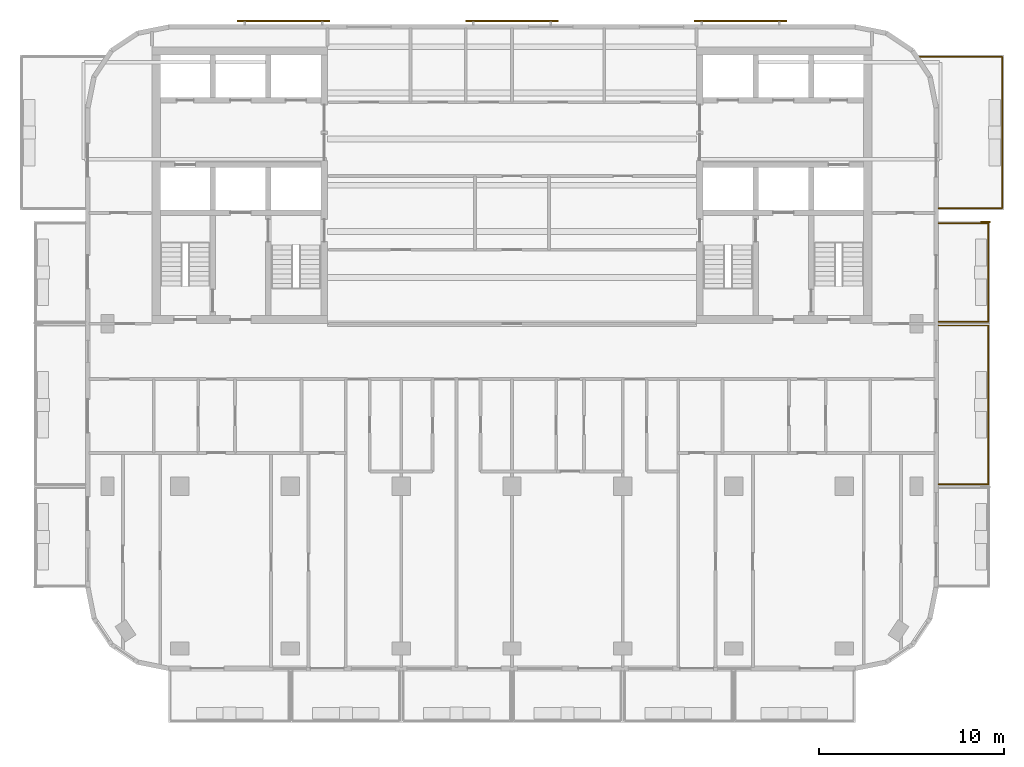
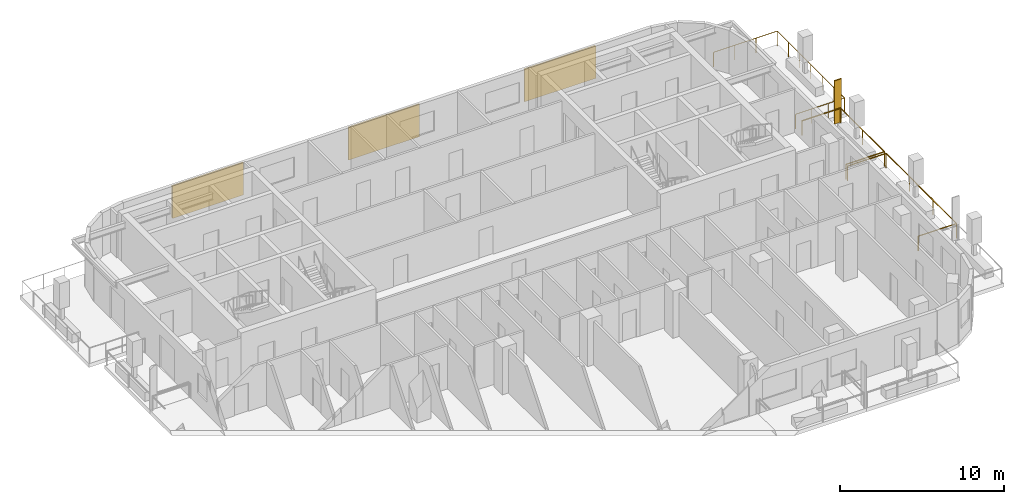
# One storey, part 10 of 11: 4 shading devices, 3 railings.
"""IFC4 building model written with IfcOpenShell, lengths in metres."""

from ifc_helpers import new_model, si_unit, direction, frame, origin, origin_2d, place, context, subcontext, project, spatial, rectangle, circle, extrude, material, layer, layer_set, type_object, element, save


model = new_model("IFC4")

# Units and contexts
model_context = context("Model", 3, precision=1e-05, world=origin(), true_north=direction((0.0, 1.0)))
body_context = subcontext(model_context, "Body", "Model", "MODEL_VIEW")
ifc_project = project(units=[si_unit("LENGTHUNIT", "METRE"), si_unit("AREAUNIT", "SQUARE_METRE"), si_unit("VOLUMEUNIT", "CUBIC_METRE"), si_unit("PLANEANGLEUNIT", "RADIAN"), si_unit("MASSUNIT", "GRAM", prefix="KILO")], contexts=[model_context])

# Site, building, storey
site_placement = place(None, origin())
site = spatial("IfcSite", under=ifc_project, at=site_placement, CompositionType="ELEMENT")
building_placement = place(site_placement, origin())
building = spatial("IfcBuilding", under=site, at=building_placement, Name="Torana Hotel and Residences", CompositionType="ELEMENT")
storey_placement = place(building_placement, frame((0.0, 0.0, 270.10009765625)))
storey = spatial("IfcBuildingStorey", under=building, at=storey_placement, Name="L71", CompositionType="ELEMENT", Elevation=270.10009765625)

# Shading device
ifc_material_1 = material(Name="Black powder coated aluminium", Category="aluminium")
ifc_layer_1 = layer(ifc_material_1, 0.080078125)
ifc_layer_set_1 = layer_set([ifc_layer_1], Name="FN1 VERTICAL FIN 500x80")
shading_device_type_1 = type_object("IfcShadingDeviceType", Name="FN1 VERTICAL FIN 500x80", PredefinedType="USERDEFINED", material=ifc_layer_set_1)
shading_device_placement = place(storey_placement, frame((25.64990234375, -9.489990234375, 0.0), z_axis=(0.0, 0.0, 1.0), x_axis=(0.0, -1.0, 0.0)))
element("IfcShadingDevice", 1, at=shading_device_placement, inside=storey, type_object=shading_device_type_1, Name="Fin 13", ObjectType="FIN", PredefinedType="USERDEFINED", context=body_context, shape_type="SweptSolid", body=[
    extrude(rectangle(XDim=0.080078125, YDim=0.5, at=origin_2d()), origin(), (0.0, 0.0, 1.0), 3.219970703125),
])

# Railings
ifc_material_2 = material(Name="Laminated glass balustrade with black handrail", Category="glass")
railing_type = type_object("IfcRailingType", Name="GR1 BALCONY GUARD 1100 GLASS", PredefinedType="GUARDRAIL", material=ifc_material_2)
railing_1_placement = place(storey_placement, frame((23.10009765625, -15.10009765625, 0.0)))
element("IfcRailing", 2, at=railing_1_placement, inside=storey, type_object=railing_type, Name="Balcony guard 12", PredefinedType="GUARDRAIL", context=body_context, shape_type="SweptSolid", body=[
    extrude(circle(Radius=0.02392578125, at=origin_2d()), frame((0.0, 0.0, 1.076171875), z_axis=(1.0, 0.0, 0.0), x_axis=(0.0, 1.0, 0.0)), (0.0, 0.0, 1.0), 2.699951171875),
    extrude(circle(Radius=0.02392578125, at=origin_2d()), frame((2.699951171875, 0.0, 1.076171875), z_axis=(0.0, -1.0, 0.0), x_axis=(1.0, 0.0, 0.0)), (0.0, 0.0, 1.0), 8.599853515625),
    extrude(circle(Radius=0.02392578125, at=origin_2d()), frame((2.699951171875, -8.599853515625, 1.076171875), z_axis=(-1.0, 0.0, 0.0), x_axis=(0.0, -1.0, 0.0)), (0.0, 0.0, 1.0), 2.699951171875),
    extrude(circle(Radius=0.02099609375, at=origin_2d()), origin(), (0.0, 0.0, 1.0), 1.052001953125),
    extrude(circle(Radius=0.02099609375, at=origin_2d()), frame((2.699951171875, 0.0, 0.0)), (0.0, 0.0, 1.0), 1.052001953125),
    extrude(circle(Radius=0.02099609375, at=origin_2d()), frame((2.699951171875, -2.86669921875, 0.0)), (0.0, 0.0, 1.0), 1.052001953125),
    extrude(circle(Radius=0.02099609375, at=origin_2d()), frame((2.699951171875, -5.733154296875, 0.0)), (0.0, 0.0, 1.0), 1.052001953125),
    extrude(circle(Radius=0.02099609375, at=origin_2d()), frame((2.699951171875, -8.599853515625, 0.0)), (0.0, 0.0, 1.0), 1.052001953125),
    extrude(circle(Radius=0.02099609375, at=origin_2d()), frame((0.0, -8.599853515625, 0.0)), (0.0, 0.0, 1.0), 1.052001953125),
])
railing_2_placement = place(storey_placement, frame((23.10009765625, -9.550048828125, 0.0)))
element("IfcRailing", 3, at=railing_2_placement, inside=storey, type_object=railing_type, Name="Balcony guard 13", PredefinedType="GUARDRAIL", context=body_context, shape_type="SweptSolid", body=[
    extrude(circle(Radius=0.02392578125, at=origin_2d()), frame((0.0, 0.0, 1.076171875), z_axis=(1.0, 0.0, 0.0), x_axis=(0.0, 1.0, 0.0)), (0.0, 0.0, 1.0), 2.699951171875),
    extrude(circle(Radius=0.02392578125, at=origin_2d()), frame((2.699951171875, 0.0, 1.076171875), z_axis=(0.0, -1.0, 0.0), x_axis=(1.0, 0.0, 0.0)), (0.0, 0.0, 1.0), 5.349853515625),
    extrude(circle(Radius=0.02392578125, at=origin_2d()), frame((2.699951171875, -5.349853515625, 1.076171875), z_axis=(-1.0, 0.0, 0.0), x_axis=(0.0, -1.0, 0.0)), (0.0, 0.0, 1.0), 2.699951171875),
    extrude(circle(Radius=0.02099609375, at=origin_2d()), origin(), (0.0, 0.0, 1.0), 1.052001953125),
    extrude(circle(Radius=0.02099609375, at=origin_2d()), frame((2.699951171875, 0.0, 0.0)), (0.0, 0.0, 1.0), 1.052001953125),
    extrude(circle(Radius=0.02099609375, at=origin_2d()), frame((2.699951171875, -2.6748046875, 0.0)), (0.0, 0.0, 1.0), 1.052001953125),
    extrude(circle(Radius=0.02099609375, at=origin_2d()), frame((2.699951171875, -5.349853515625, 0.0)), (0.0, 0.0, 1.0), 1.052001953125),
    extrude(circle(Radius=0.02099609375, at=origin_2d()), frame((0.0, -5.349853515625, 0.0)), (0.0, 0.0, 1.0), 1.052001953125),
])
railing_3_placement = place(storey_placement, frame((22.07080078125, -0.550048828125, 0.0)))
element("IfcRailing", 4, at=railing_3_placement, inside=storey, type_object=railing_type, Name="Balcony guard 14", PredefinedType="GUARDRAIL", context=body_context, shape_type="SweptSolid", body=[
    extrude(circle(Radius=0.02392578125, at=origin_2d()), frame((0.0, 0.0, 1.076171875), z_axis=(1.0, 0.0, 0.0), x_axis=(0.0, 1.0, 0.0)), (0.0, 0.0, 1.0), 4.479248046875),
    extrude(circle(Radius=0.02392578125, at=origin_2d()), frame((4.479248046875, 0.0, 1.076171875), z_axis=(0.0, -1.0, 0.0), x_axis=(1.0, 0.0, 0.0)), (0.0, 0.0, 1.0), 8.199951171875),
    extrude(circle(Radius=0.02392578125, at=origin_2d()), frame((4.479248046875, -8.199951171875, 1.076171875), z_axis=(-1.0, 0.0, 0.0), x_axis=(0.0, -1.0, 0.0)), (0.0, 0.0, 1.0), 3.449951171875),
    extrude(circle(Radius=0.02099609375, at=origin_2d()), origin(), (0.0, 0.0, 1.0), 1.052001953125),
    extrude(circle(Radius=0.02099609375, at=origin_2d()), frame((1.4931640625, 0.0, 0.0)), (0.0, 0.0, 1.0), 1.052001953125),
    extrude(circle(Radius=0.02099609375, at=origin_2d()), frame((2.986083984375, 0.0, 0.0)), (0.0, 0.0, 1.0), 1.052001953125),
    extrude(circle(Radius=0.02099609375, at=origin_2d()), frame((4.479248046875, 0.0, 0.0)), (0.0, 0.0, 1.0), 1.052001953125),
    extrude(circle(Radius=0.02099609375, at=origin_2d()), frame((4.479248046875, -1.36669921875, 0.0)), (0.0, 0.0, 1.0), 1.052001953125),
    extrude(circle(Radius=0.02099609375, at=origin_2d()), frame((4.479248046875, -2.7333984375, 0.0)), (0.0, 0.0, 1.0), 1.052001953125),
    extrude(circle(Radius=0.02099609375, at=origin_2d()), frame((4.479248046875, -4.10009765625, 0.0)), (0.0, 0.0, 1.0), 1.052001953125),
    extrude(circle(Radius=0.02099609375, at=origin_2d()), frame((4.479248046875, -5.466552734375, 0.0)), (0.0, 0.0, 1.0), 1.052001953125),
    extrude(circle(Radius=0.02099609375, at=origin_2d()), frame((4.479248046875, -6.833251953125, 0.0)), (0.0, 0.0, 1.0), 1.052001953125),
    extrude(circle(Radius=0.02099609375, at=origin_2d()), frame((4.479248046875, -8.199951171875, 0.0)), (0.0, 0.0, 1.0), 1.052001953125),
    extrude(circle(Radius=0.02099609375, at=origin_2d()), frame((3.329345703125, -8.199951171875, 0.0)), (0.0, 0.0, 1.0), 1.052001953125),
    extrude(circle(Radius=0.02099609375, at=origin_2d()), frame((2.17919921875, -8.199951171875, 0.0)), (0.0, 0.0, 1.0), 1.052001953125),
    extrude(circle(Radius=0.02099609375, at=origin_2d()), frame((1.029296875, -8.199951171875, 0.0)), (0.0, 0.0, 1.0), 1.052001953125),
])

# Shading devices
ifc_material_3 = material(Name="Concrete C40/50 precast", Category="concrete")
ifc_layer_2 = layer(ifc_material_3, 0.10009765625)
ifc_layer_set_2 = layer_set([ifc_layer_2], Name="SC1 PERFORATED BLOCK SCREEN PANEL 100")
shading_device_type_2 = type_object("IfcShadingDeviceType", Name="SC1 PERFORATED BLOCK SCREEN PANEL 100", PredefinedType="USERDEFINED", material=ifc_layer_set_2)
for number, where, z_axis, x_axis, name in (
    (5, (12.383544921875, 1.39990234375, 0.5), (0.0, 0.0, 1.0), (-1.0, 0.0, 0.0), "Perforated block screen L71"),
    (6, (0.0, 1.39990234375, 0.5), (0.0, 0.0, 1.0), (-1.0, 0.0, 0.0), "Perforated block screen L71"),
    (7, (-12.383544921875, 1.39990234375, 0.5), (0.0, 0.0, 1.0), (-1.0, 0.0, 0.0), "Perforated block screen L71"),
):
    element("IfcShadingDevice", number, at=place(storey_placement, frame(where, z_axis=z_axis, x_axis=x_axis)), inside=storey, type_object=shading_device_type_2, Name=name, ObjectType="SCREEN", PredefinedType="USERDEFINED", context=body_context, shape_type="SweptSolid", body=[
        extrude(rectangle(XDim=5.0, YDim=0.10009765625, at=origin_2d()), origin(), (0.0, 0.0, 1.0), 2.419921875),
    ])

save(model, "model.ifc")
